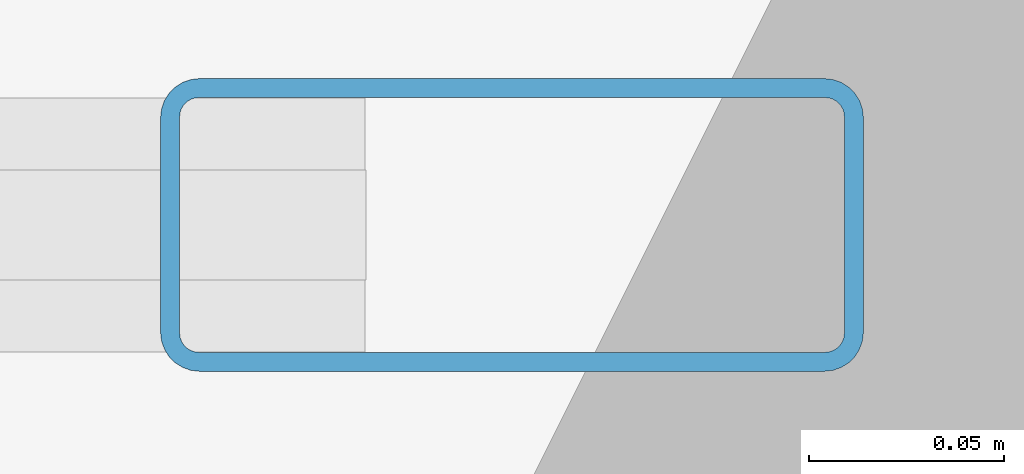
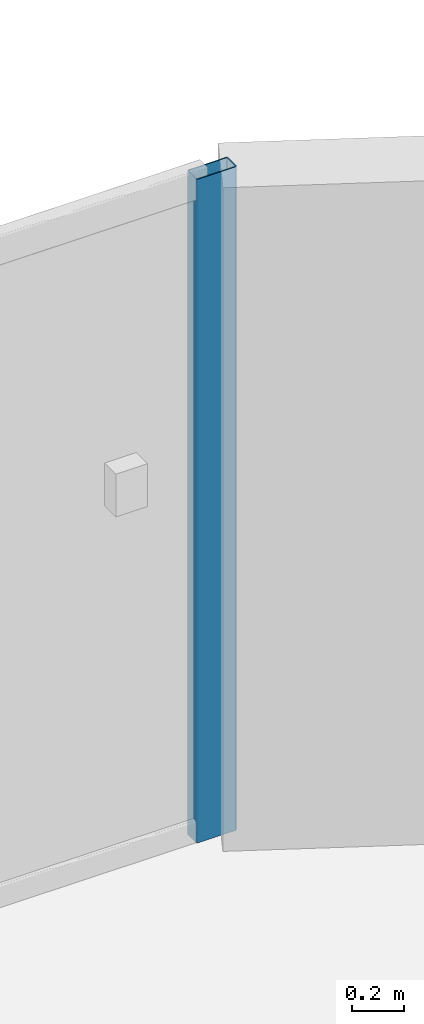
# One storey, part 8 of 21: 1 member, 1 element without a shape of its own.
"""IFC4 building model written with IfcOpenShell, lengths in metres."""

from ifc_helpers import new_model, si_unit, direction, frame, origin, origin_2d, place, context, subcontext, project, spatial, hollow_rectangle, extrude, material, layer, layer_set, material_profile, profile_set, type_object, element, aggregate, save


model = new_model("IFC4")

# Units and contexts
model_context = context("Model", 3, precision=1e-05, world=origin(), true_north=direction((0.0, 1.0)))
body_context = subcontext(model_context, "Body", "Model", "MODEL_VIEW")
ifc_project = project(units=[si_unit("LENGTHUNIT", "METRE"), si_unit("AREAUNIT", "SQUARE_METRE"), si_unit("VOLUMEUNIT", "CUBIC_METRE"), si_unit("PLANEANGLEUNIT", "RADIAN"), si_unit("MASSUNIT", "GRAM", prefix="KILO")], contexts=[model_context])

# Site, building, storey
site_placement = place(None, origin())
site = spatial("IfcSite", under=ifc_project, at=site_placement, CompositionType="ELEMENT")
building_placement = place(site_placement, origin())
building = spatial("IfcBuilding", under=site, at=building_placement, Name="Tarnavaz Court Tower", CompositionType="ELEMENT")
storey_placement = place(building_placement, frame((0.0, 0.0, 24.0)))
storey = spatial("IfcBuildingStorey", under=building, at=storey_placement, Name="L05", CompositionType="ELEMENT", Elevation=24.0)

# Curtain wall, member
ifc_material_1 = material(Name="Anodised Aluminium 6063-T6 and Solar Low-E Glazing", Category="aluminium")
ifc_layer = layer(ifc_material_1, 0.179931640625)
ifc_layer_set = layer_set([ifc_layer], Name="Anodised Aluminium 6063-T6 and Solar Low-E Glazing")
curtain_wall_type = type_object("IfcCurtainWallType", Name="CW-SYS-02", PredefinedType="NOTDEFINED", material=ifc_layer_set)
curtain_wall_placement = place(storey_placement, origin())
curtain_wall = element("IfcCurtainWall", 1, at=curtain_wall_placement, inside=storey, type_object=curtain_wall_type, Name="L05 Iwan Prow Curtain Wall 7", PredefinedType="NOTDEFINED")
ifc_material_2 = material(Name="Anodised Aluminium 6063-T6", Category="aluminium")
ifc_material_profile = material_profile(ifc_material_2, hollow_rectangle(XDim=0.074951171875, YDim=0.179931640625, WallThickness=0.0048828125, InnerFilletRadius=0.0048828125, OuterFilletRadius=0.010009765625, at=origin_2d()), Name="ALU RHS 180X75X5")
ifc_profile_set = profile_set([ifc_material_profile], Name="Anodised Aluminium 6063-T6")
member_type = type_object("IfcMemberType", Name="CW-MUL-180", PredefinedType="MULLION", material=ifc_profile_set)
member_placement = place(storey_placement, frame((4.3125, 25.050048828125, 0.0), z_axis=(0.0, 0.0, 1.0), x_axis=(0.0, 1.0, 0.0)))
member = element("IfcMember", 2, at=member_placement, type_object=member_type, Name="CW mullion 4", PredefinedType="MULLION", context=body_context, shape_type="SweptSolid", body=[
    extrude(hollow_rectangle(XDim=0.074951171875, YDim=0.179931640625, WallThickness=0.0048828125, InnerFilletRadius=0.0048828125, OuterFilletRadius=0.010009765625, at=origin_2d()), origin(), (0.0, 0.0, 1.0), 3.10009765625),
])
aggregate(curtain_wall, [member])

save(model, "model.ifc")
